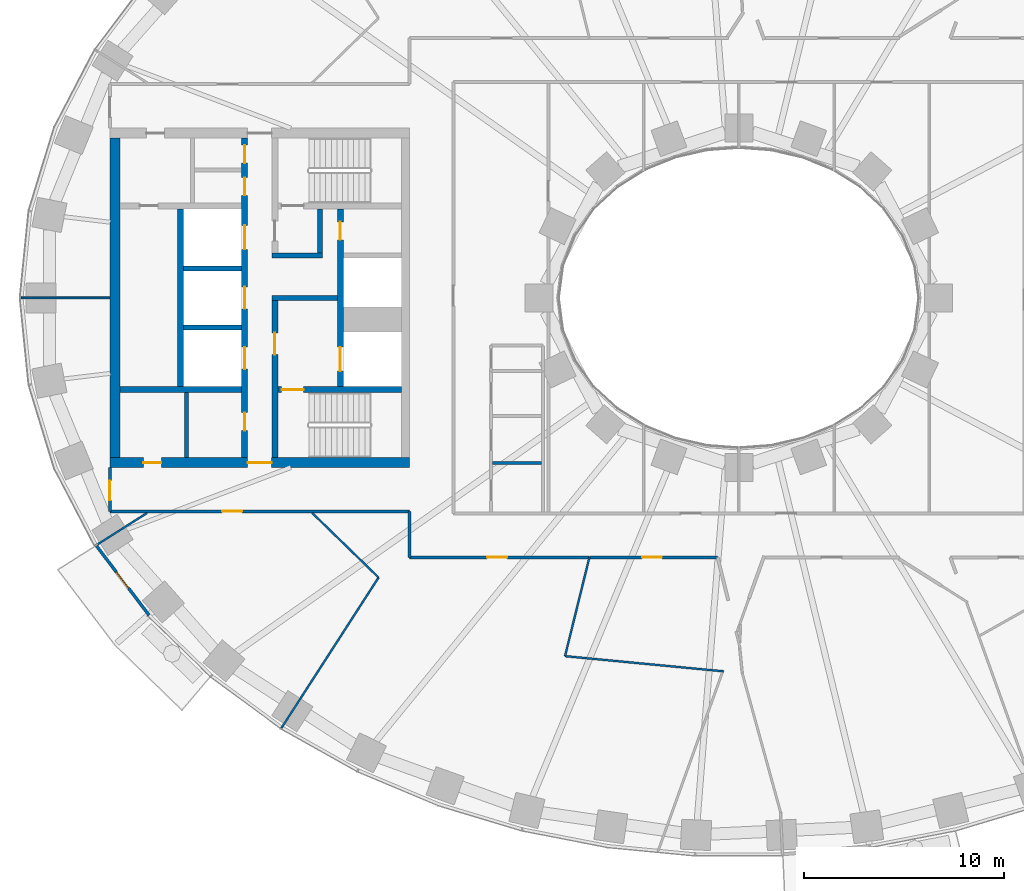
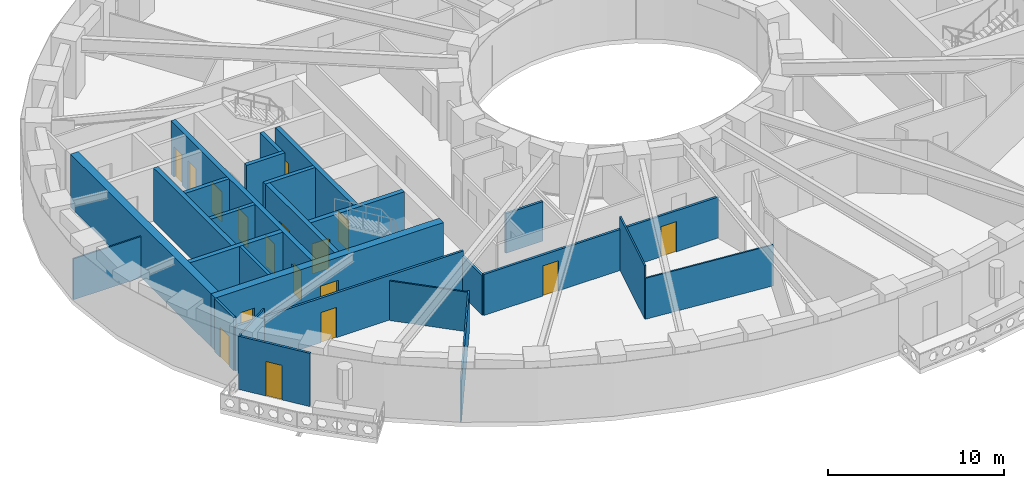
# One storey, part 3 of 16: 27 walls, 17 doors, 17 openings.
"""IFC4 building model written with IfcOpenShell, lengths in metres."""

from ifc_helpers import new_model, si_unit, direction, frame, frame_2d, origin, place, context, subcontext, project, spatial, rectangle, extrude, material, layer, layer_set, type_object, element, fill, save


model = new_model("IFC4")

# Units and contexts
model_context = context("Model", 3, precision=1e-05, world=origin(), true_north=direction((0.0, 1.0)))
body_context = subcontext(model_context, "Body", "Model", "MODEL_VIEW")
ifc_project = project(units=[si_unit("LENGTHUNIT", "METRE"), si_unit("AREAUNIT", "SQUARE_METRE"), si_unit("VOLUMEUNIT", "CUBIC_METRE"), si_unit("PLANEANGLEUNIT", "RADIAN"), si_unit("MASSUNIT", "GRAM", prefix="KILO")], contexts=[model_context])

# Site, building, storey
site_placement = place(None, origin())
site = spatial("IfcSite", under=ifc_project, at=site_placement, CompositionType="ELEMENT")
building_placement = place(site_placement, origin())
building = spatial("IfcBuilding", under=site, at=building_placement, Name="Noorbagh Ring Tower", CompositionType="ELEMENT")
storey_placement = place(building_placement, frame((0.0, 0.0, 42.5)))
storey = spatial("IfcBuildingStorey", under=building, at=storey_placement, Name="L08", CompositionType="ELEMENT", Elevation=42.5)

# Walls
ifc_material_1 = material(Name="Gypsum board on steel studs", Category="steel")
ifc_layer_1 = layer(ifc_material_1, 0.199951171875)
ifc_layer_set_1 = layer_set([ifc_layer_1], Name="Gypsum board on steel studs")
wall_type_1 = type_object("IfcWallType", Name="CORE-PARTITION-200", PredefinedType="PARTITIONING", material=ifc_layer_set_1)
wall_1_placement = place(storey_placement, frame((-27.64990234375, -8.0, 0.0), z_axis=(0.0, 0.0, 1.0), x_axis=(0.0, 1.0, 0.0)))
element("IfcWall", 1, at=wall_1_placement, inside=storey, type_object=wall_type_1, Name="Core partition W", PredefinedType="PARTITIONING", context=body_context, shape_type="SweptSolid", body=[
    extrude(rectangle(XDim=3.25, YDim=0.199951171875, at=frame_2d((1.625, 0.0))), origin(), (0.0, 0.0, 1.0), 3.699951171875),
])
ifc_material_2 = material(Name="Concrete C70/85", Category="concrete")
ifc_layer_2 = layer(ifc_material_2, 0.25)
ifc_layer_set_2 = layer_set([ifc_layer_2], Name="Concrete C70/85")
wall_type_2 = type_object("IfcWallType", Name="CORE-WALL-250-C70-85-EI120", PredefinedType="SHEAR", material=ifc_layer_set_2)
for number, where, z_axis, x_axis, name in (
    (2, (-24.89990234375, -1.47509765625, 0.0), (0.0, 0.0, 1.0), (-1.0, 0.0, 0.0), "Core wall W"),
    (3, (-24.89990234375, 1.47509765625, 0.0), (0.0, 0.0, 1.0), (-1.0, 0.0, 0.0), "Core wall W"),
):
    element("IfcWall", number, at=place(storey_placement, frame(where, z_axis=z_axis, x_axis=x_axis)), inside=storey, type_object=wall_type_2, Name=name, PredefinedType="SHEAR", context=body_context, shape_type="SweptSolid", body=[
        extrude(rectangle(XDim=2.900146484375, YDim=0.25, at=frame_2d((1.4501953125, 0.0))), origin(), (0.0, 0.0, 1.0), 3.699951171875),
    ])
ifc_material_3 = material(Name="Concrete C70/85", Category="concrete")
ifc_layer_3 = layer(ifc_material_3, 0.25)
ifc_layer_set_3 = layer_set([ifc_layer_3], Name="Concrete C70/85")
wall_type_3 = type_object("IfcWallType", Name="CORE-WALL-250-C70-85-EI240", PredefinedType="SHEAR", material=ifc_layer_set_3)
wall_2_placement = place(storey_placement, frame((-20.10009765625, 0.0, 0.0), z_axis=(0.0, 0.0, 1.0), x_axis=(-1.0, 0.0, 0.0)))
element("IfcWall", 4, at=wall_2_placement, inside=storey, type_object=wall_type_3, Name="Core wall W", PredefinedType="SHEAR", context=body_context, shape_type="SweptSolid", body=[
    extrude(rectangle(XDim=3.27978515625, YDim=0.25, at=frame_2d((1.639892578125, 0.0))), origin(), (0.0, 0.0, 1.0), 3.699951171875),
])
wall_3_placement = place(storey_placement, frame((-20.85009765625, 2.125, 0.0), z_axis=(0.0, 0.0, 1.0), x_axis=(-1.0, 0.0, 0.0)))
element("IfcWall", 5, at=wall_3_placement, inside=storey, type_object=wall_type_3, Name="Core wall W", PredefinedType="SHEAR", context=body_context, shape_type="SweptSolid", body=[
    extrude(rectangle(XDim=2.52978515625, YDim=0.25, at=frame_2d((1.264892578125, 0.0))), origin(), (0.0, 0.0, 1.0), 3.699951171875),
])
wall_4_placement = place(storey_placement, frame((-20.97509765625, 2.25, 0.0), z_axis=(0.0, 0.0, 1.0), x_axis=(0.0, 1.0, 0.0)))
element("IfcWall", 6, at=wall_4_placement, inside=storey, type_object=wall_type_3, Name="Core wall W", PredefinedType="SHEAR", context=body_context, shape_type="SweptSolid", body=[
    extrude(rectangle(XDim=2.199951171875, YDim=0.25, at=frame_2d((1.10009765625, 0.0))), origin(), (0.0, 0.0, 1.0), 3.699951171875),
])
ifc_material_4 = material(Name="Concrete C70/85", Category="concrete")
ifc_layer_4 = layer(ifc_material_4, 0.300048828125)
ifc_layer_set_4 = layer_set([ifc_layer_4], Name="Concrete C70/85")
wall_type_4 = type_object("IfcWallType", Name="CORE-WALL-300-C70-85-EI120", PredefinedType="SHEAR", material=ifc_layer_set_4)
wall_5_placement = place(storey_placement, frame((-27.949951171875, -4.449951171875, 0.0), z_axis=(0.0, 0.0, 1.0), x_axis=(0.0, 1.0, 0.0)))
element("IfcWall", 7, at=wall_5_placement, inside=storey, type_object=wall_type_4, Name="Core wall W", PredefinedType="SHEAR", context=body_context, shape_type="SweptSolid", body=[
    extrude(rectangle(XDim=8.89990234375, YDim=0.300048828125, at=frame_2d((4.449951171875, 0.0))), origin(), (0.0, 0.0, 1.0), 3.699951171875),
])

# Wall, openings, doors
wall_6_placement = place(storey_placement, frame((-19.949951171875, -4.449951171875, 0.0), z_axis=(0.0, 0.0, 1.0), x_axis=(0.0, 1.0, 0.0)))
wall_6 = element("IfcWall", 8, at=wall_6_placement, inside=storey, type_object=wall_type_4, Name="Core wall W", PredefinedType="SHEAR", context=body_context, shape_type="SweptSolid", body=[
    extrude(rectangle(XDim=8.89990234375, YDim=0.300048828125, at=frame_2d((4.449951171875, 0.0))), origin(), (0.0, 0.0, 1.0), 3.699951171875),
])
opening_1_placement = place(wall_6_placement, frame((0.77490234375, 0.0, 0.0)))
opening_1 = element("IfcOpeningElement", 9, at=opening_1_placement, cuts=wall_6, Name="Opening L08-CW01", PredefinedType="OPENING", context=body_context, shape_type="SweptSolid", body=[
    extrude(rectangle(XDim=1.199951171875, YDim=2.10009765625, at=frame_2d((0.60009765625, 1.050048828125))), frame((0.0, 0.16015625, 0.0), z_axis=(0.0, -1.0, 0.0), x_axis=(1.0, 0.0, 0.0)), (0.0, 0.0, 1.0), 0.320068359375),
])
opening_2_placement = place(wall_6_placement, frame((7.35009765625, 0.0, 0.0)))
opening_2 = element("IfcOpeningElement", 10, at=opening_2_placement, cuts=wall_6, Name="Opening L08-CW11", PredefinedType="OPENING", context=body_context, shape_type="SweptSolid", body=[
    extrude(rectangle(XDim=0.89990234375, YDim=2.10009765625, at=frame_2d((0.449951171875, 1.050048828125))), frame((0.0, 0.16015625, 0.0), z_axis=(0.0, -1.0, 0.0), x_axis=(1.0, 0.0, 0.0)), (0.0, 0.0, 1.0), 0.320068359375),
])
ifc_material_5 = material(Name="Steel door leaf", Category="steel")
door_type_1 = type_object("IfcDoorType", Name="CORE-DOOR-DROOM", OperationType="SINGLE_SWING_LEFT", PredefinedType="DOOR", material=ifc_material_5)
door_1_placement = place(opening_2_placement, origin())
door_1 = element("IfcDoor", 11, at=door_1_placement, inside=storey, type_object=door_type_1, Name="Core room door L08-CW11", OperationType="SINGLE_SWING_LEFT", OverallHeight=2.10009765625, OverallWidth=0.89990234375, PredefinedType="DOOR", context=body_context, shape_type="SweptSolid", body=[
    extrude(rectangle(XDim=0.89990234375, YDim=2.10009765625, at=frame_2d((0.449951171875, 1.050048828125))), frame((0.0, 0.02490234375, 0.0), z_axis=(0.0, -1.0, 0.0), x_axis=(1.0, 0.0, 0.0)), (0.0, 0.0, 1.0), 0.050048828125),
])
fill(opening_2, door_1)
ifc_material_6 = material(Name="Steel door leaf", Category="steel")
door_type_2 = type_object("IfcDoorType", Name="CORE-DOOR-LDW", OperationType="DOUBLE_DOOR_SLIDING", PredefinedType="DOOR", material=ifc_material_6)
door_2_placement = place(opening_1_placement, origin())
door_2 = element("IfcDoor", 12, at=door_2_placement, inside=storey, type_object=door_type_2, Name="Landing door FF1 L08-CW01", OperationType="DOUBLE_DOOR_SLIDING", OverallHeight=2.10009765625, OverallWidth=1.199951171875, PredefinedType="DOOR", context=body_context, shape_type="SweptSolid", body=[
    extrude(rectangle(XDim=1.199951171875, YDim=2.10009765625, at=frame_2d((0.60009765625, 1.050048828125))), frame((0.0, 0.02490234375, 0.0), z_axis=(0.0, -1.0, 0.0), x_axis=(1.0, 0.0, 0.0)), (0.0, 0.0, 1.0), 0.050048828125),
])
fill(opening_1, door_2)

wall_7_placement = place(storey_placement, frame((-24.75, -8.0, 0.0), z_axis=(0.0, 0.0, 1.0), x_axis=(0.0, 1.0, 0.0)))
wall_7 = element("IfcWall", 13, at=wall_7_placement, inside=storey, type_object=wall_type_4, Name="Core wall W", PredefinedType="SHEAR", context=body_context, shape_type="SweptSolid", body=[
    extrude(rectangle(XDim=16.0, YDim=0.300048828125, at=frame_2d((8.0, 0.0))), origin(), (0.0, 0.0, 1.0), 3.699951171875),
])
opening_3_placement = place(wall_7_placement, frame((4.425048828125, 0.0, 0.0)))
opening_3 = element("IfcOpeningElement", 14, at=opening_3_placement, cuts=wall_7, Name="Opening L08-CW02", PredefinedType="OPENING", context=body_context, shape_type="SweptSolid", body=[
    extrude(rectangle(XDim=1.10009765625, YDim=2.10009765625, at=frame_2d((0.550048828125, 1.050048828125))), frame((0.0, 0.16015625, 0.0), z_axis=(0.0, -1.0, 0.0), x_axis=(1.0, 0.0, 0.0)), (0.0, 0.0, 1.0), 0.320068359375),
])
opening_4_placement = place(wall_7_placement, frame((7.449951171875, 0.0, 0.0)))
opening_4 = element("IfcOpeningElement", 15, at=opening_4_placement, cuts=wall_7, Name="Opening L08-CW03", PredefinedType="OPENING", context=body_context, shape_type="SweptSolid", body=[
    extrude(rectangle(XDim=1.10009765625, YDim=2.10009765625, at=frame_2d((0.550048828125, 1.050048828125))), frame((0.0, 0.16015625, 0.0), z_axis=(0.0, -1.0, 0.0), x_axis=(1.0, 0.0, 0.0)), (0.0, 0.0, 1.0), 0.320068359375),
])
opening_5_placement = place(wall_7_placement, frame((10.425048828125, 0.0, 0.0)))
opening_5 = element("IfcOpeningElement", 16, at=opening_5_placement, cuts=wall_7, Name="Opening L08-CW04", PredefinedType="OPENING", context=body_context, shape_type="SweptSolid", body=[
    extrude(rectangle(XDim=1.199951171875, YDim=2.10009765625, at=frame_2d((0.60009765625, 1.050048828125))), frame((0.0, 0.16015625, 0.0), z_axis=(0.0, -1.0, 0.0), x_axis=(1.0, 0.0, 0.0)), (0.0, 0.0, 1.0), 0.320068359375),
])
opening_6_placement = place(wall_7_placement, frame((13.125, 0.0, 0.0)))
opening_6 = element("IfcOpeningElement", 17, at=opening_6_placement, cuts=wall_7, Name="Opening L08-CW12", PredefinedType="OPENING", context=body_context, shape_type="SweptSolid", body=[
    extrude(rectangle(XDim=0.89990234375, YDim=2.10009765625, at=frame_2d((0.449951171875, 1.050048828125))), frame((0.0, 0.16015625, 0.0), z_axis=(0.0, -1.0, 0.0), x_axis=(1.0, 0.0, 0.0)), (0.0, 0.0, 1.0), 0.320068359375),
])
opening_7_placement = place(wall_7_placement, frame((14.75, 0.0, 0.0)))
opening_7 = element("IfcOpeningElement", 18, at=opening_7_placement, cuts=wall_7, Name="Opening L08-CW13", PredefinedType="OPENING", context=body_context, shape_type="SweptSolid", body=[
    extrude(rectangle(XDim=0.89990234375, YDim=2.10009765625, at=frame_2d((0.449951171875, 1.050048828125))), frame((0.0, 0.16015625, 0.0), z_axis=(0.0, -1.0, 0.0), x_axis=(1.0, 0.0, 0.0)), (0.0, 0.0, 1.0), 0.320068359375),
])
opening_8_placement = place(wall_7_placement, frame((1.35009765625, 0.0, 0.0)))
opening_8 = element("IfcOpeningElement", 19, at=opening_8_placement, cuts=wall_7, Name="Opening L08-CW15", PredefinedType="OPENING", context=body_context, shape_type="SweptSolid", body=[
    extrude(rectangle(XDim=0.89990234375, YDim=2.10009765625, at=frame_2d((0.449951171875, 1.050048828125))), frame((0.0, 0.16015625, 0.0), z_axis=(0.0, -1.0, 0.0), x_axis=(1.0, 0.0, 0.0)), (0.0, 0.0, 1.0), 0.320068359375),
])
door_3_placement = place(opening_6_placement, origin())
door_3 = element("IfcDoor", 20, at=door_3_placement, inside=storey, type_object=door_type_1, Name="Core room door L08-CW12", OperationType="SINGLE_SWING_LEFT", OverallHeight=2.10009765625, OverallWidth=0.89990234375, PredefinedType="DOOR", context=body_context, shape_type="SweptSolid", body=[
    extrude(rectangle(XDim=0.89990234375, YDim=2.10009765625, at=frame_2d((0.449951171875, 1.050048828125))), frame((0.0, 0.02490234375, 0.0), z_axis=(0.0, -1.0, 0.0), x_axis=(1.0, 0.0, 0.0)), (0.0, 0.0, 1.0), 0.050048828125),
])
fill(opening_6, door_3)
door_4_placement = place(opening_7_placement, origin())
door_4 = element("IfcDoor", 21, at=door_4_placement, inside=storey, type_object=door_type_1, Name="Core room door L08-CW13", OperationType="SINGLE_SWING_RIGHT", OverallHeight=2.10009765625, OverallWidth=0.89990234375, PredefinedType="DOOR", context=body_context, shape_type="SweptSolid", body=[
    extrude(rectangle(XDim=0.89990234375, YDim=2.10009765625, at=frame_2d((0.449951171875, 1.050048828125))), frame((0.0, 0.02490234375, 0.0), z_axis=(0.0, -1.0, 0.0), x_axis=(1.0, 0.0, 0.0)), (0.0, 0.0, 1.0), 0.050048828125),
])
fill(opening_7, door_4)
door_5_placement = place(opening_8_placement, origin())
door_5 = element("IfcDoor", 22, at=door_5_placement, inside=storey, type_object=door_type_1, Name="Core room door L08-CW15", OperationType="SINGLE_SWING_LEFT", OverallHeight=2.10009765625, OverallWidth=0.89990234375, PredefinedType="DOOR", context=body_context, shape_type="SweptSolid", body=[
    extrude(rectangle(XDim=0.89990234375, YDim=2.10009765625, at=frame_2d((0.449951171875, 1.050048828125))), frame((0.0, 0.02490234375, 0.0), z_axis=(0.0, -1.0, 0.0), x_axis=(1.0, 0.0, 0.0)), (0.0, 0.0, 1.0), 0.050048828125),
])
fill(opening_8, door_5)
ifc_material_7 = material(Name="Steel door leaf", Category="steel")
door_type_3 = type_object("IfcDoorType", Name="CORE-DOOR-LD", OperationType="DOUBLE_DOOR_SLIDING", PredefinedType="DOOR", material=ifc_material_7)
door_6_placement = place(opening_3_placement, origin())
door_6 = element("IfcDoor", 23, at=door_6_placement, inside=storey, type_object=door_type_3, Name="Landing door LR1 L08-CW02", OperationType="DOUBLE_DOOR_SLIDING", OverallHeight=2.10009765625, OverallWidth=1.10009765625, PredefinedType="DOOR", context=body_context, shape_type="SweptSolid", body=[
    extrude(rectangle(XDim=1.10009765625, YDim=2.10009765625, at=frame_2d((0.550048828125, 1.050048828125))), frame((0.0, 0.02490234375, 0.0), z_axis=(0.0, -1.0, 0.0), x_axis=(1.0, 0.0, 0.0)), (0.0, 0.0, 1.0), 0.050048828125),
])
fill(opening_3, door_6)
door_7_placement = place(opening_4_placement, origin())
door_7 = element("IfcDoor", 24, at=door_7_placement, inside=storey, type_object=door_type_3, Name="Landing door LR2 L08-CW03", OperationType="DOUBLE_DOOR_SLIDING", OverallHeight=2.10009765625, OverallWidth=1.10009765625, PredefinedType="DOOR", context=body_context, shape_type="SweptSolid", body=[
    extrude(rectangle(XDim=1.10009765625, YDim=2.10009765625, at=frame_2d((0.550048828125, 1.050048828125))), frame((0.0, 0.02490234375, 0.0), z_axis=(0.0, -1.0, 0.0), x_axis=(1.0, 0.0, 0.0)), (0.0, 0.0, 1.0), 0.050048828125),
])
fill(opening_4, door_7)
door_8_placement = place(opening_5_placement, origin())
door_8 = element("IfcDoor", 25, at=door_8_placement, inside=storey, type_object=door_type_2, Name="Landing door SV1 L08-CW04", OperationType="DOUBLE_DOOR_SLIDING", OverallHeight=2.10009765625, OverallWidth=1.199951171875, PredefinedType="DOOR", context=body_context, shape_type="SweptSolid", body=[
    extrude(rectangle(XDim=1.199951171875, YDim=2.10009765625, at=frame_2d((0.60009765625, 1.050048828125))), frame((0.0, 0.02490234375, 0.0), z_axis=(0.0, -1.0, 0.0), x_axis=(1.0, 0.0, 0.0)), (0.0, 0.0, 1.0), 0.050048828125),
])
fill(opening_5, door_8)

# Wall
ifc_material_8 = material(Name="Concrete C70/85", Category="concrete")
ifc_layer_5 = layer(ifc_material_8, 0.300048828125)
ifc_layer_set_5 = layer_set([ifc_layer_5], Name="Concrete C70/85")
wall_type_5 = type_object("IfcWallType", Name="CORE-WALL-300-C70-85-EI240", PredefinedType="SHEAR", material=ifc_layer_set_5)
wall_8_placement = place(storey_placement, frame((-24.89990234375, -4.60009765625, 0.0), z_axis=(0.0, 0.0, 1.0), x_axis=(-1.0, 0.0, 0.0)))
element("IfcWall", 26, at=wall_8_placement, inside=storey, type_object=wall_type_5, Name="Core wall W", PredefinedType="SHEAR", context=body_context, shape_type="SweptSolid", body=[
    extrude(rectangle(XDim=6.10009765625, YDim=0.300048828125, at=frame_2d((3.050048828125, 0.0))), origin(), (0.0, 0.0, 1.0), 3.699951171875),
])

# Wall, opening, door
wall_9_placement = place(storey_placement, frame((-23.22998046875, -8.0, 0.0), z_axis=(0.0, 0.0, 1.0), x_axis=(0.0, 1.0, 0.0)))
wall_9 = element("IfcWall", 27, at=wall_9_placement, inside=storey, type_object=wall_type_5, Name="Core wall W", PredefinedType="SHEAR", context=body_context, shape_type="SweptSolid", body=[
    extrude(rectangle(XDim=7.875, YDim=0.300048828125, at=frame_2d((3.9375, 0.0))), origin(), (0.0, 0.0, 1.0), 3.699951171875),
])
opening_9_placement = place(wall_9_placement, frame((5.14990234375, 0.0, 0.0)))
opening_9 = element("IfcOpeningElement", 28, at=opening_9_placement, cuts=wall_9, Name="Opening L08-CW07", PredefinedType="OPENING", context=body_context, shape_type="SweptSolid", body=[
    extrude(rectangle(XDim=1.10009765625, YDim=2.10009765625, at=frame_2d((0.550048828125, 1.050048828125))), frame((0.0, 0.16015625, 0.0), z_axis=(0.0, -1.0, 0.0), x_axis=(1.0, 0.0, 0.0)), (0.0, 0.0, 1.0), 0.320068359375),
])
ifc_material_9 = material(Name="Steel door leaf", Category="steel")
door_type_4 = type_object("IfcDoorType", Name="CORE-DOOR-DFF", OperationType="SINGLE_SWING_LEFT", PredefinedType="DOOR", material=ifc_material_9)
door_9_placement = place(opening_9_placement, origin())
door_9 = element("IfcDoor", 29, at=door_9_placement, inside=storey, type_object=door_type_4, Name="Firefighting lobby door L08-CW07", OperationType="SINGLE_SWING_LEFT", OverallHeight=2.10009765625, OverallWidth=1.10009765625, PredefinedType="DOOR", context=body_context, shape_type="SweptSolid", body=[
    extrude(rectangle(XDim=1.10009765625, YDim=2.10009765625, at=frame_2d((0.550048828125, 1.050048828125))), frame((0.0, 0.02490234375, 0.0), z_axis=(0.0, -1.0, 0.0), x_axis=(1.0, 0.0, 0.0)), (0.0, 0.0, 1.0), 0.050048828125),
])
fill(opening_9, door_9)

wall_10_placement = place(storey_placement, frame((-16.89990234375, -4.60009765625, 0.0), z_axis=(0.0, 0.0, 1.0), x_axis=(-1.0, 0.0, 0.0)))
wall_10 = element("IfcWall", 30, at=wall_10_placement, inside=storey, type_object=wall_type_5, Name="Core wall W", PredefinedType="SHEAR", context=body_context, shape_type="SweptSolid", body=[
    extrude(rectangle(XDim=6.18017578125, YDim=0.300048828125, at=frame_2d((3.090087890625, 0.0))), origin(), (0.0, 0.0, 1.0), 3.699951171875),
])
opening_10_placement = place(wall_10_placement, frame((4.89990234375, 0.0, 0.0)))
opening_10 = element("IfcOpeningElement", 31, at=opening_10_placement, cuts=wall_10, Name="Opening L08-CW06", PredefinedType="OPENING", context=body_context, shape_type="SweptSolid", body=[
    extrude(rectangle(XDim=1.10009765625, YDim=2.10009765625, at=frame_2d((0.550048828125, 1.050048828125))), frame((0.0, 0.16015625, 0.0), z_axis=(0.0, -1.0, 0.0), x_axis=(1.0, 0.0, 0.0)), (0.0, 0.0, 1.0), 0.320068359375),
])
ifc_material_10 = material(Name="Steel door leaf", Category="steel")
door_type_5 = type_object("IfcDoorType", Name="CORE-DOOR-DSTAIR", OperationType="SINGLE_SWING_LEFT", PredefinedType="DOOR", material=ifc_material_10)
door_10_placement = place(opening_10_placement, origin())
door_10 = element("IfcDoor", 32, at=door_10_placement, inside=storey, type_object=door_type_5, Name="Stair door ST2 L08-CW06", OperationType="SINGLE_SWING_LEFT", OverallHeight=2.10009765625, OverallWidth=1.10009765625, PredefinedType="DOOR", context=body_context, shape_type="SweptSolid", body=[
    extrude(rectangle(XDim=1.10009765625, YDim=2.10009765625, at=frame_2d((0.550048828125, 1.050048828125))), frame((0.0, 0.02490234375, 0.0), z_axis=(0.0, -1.0, 0.0), x_axis=(1.0, 0.0, 0.0)), (0.0, 0.0, 1.0), 0.050048828125),
])
fill(opening_10, door_10)

# Wall, openings, doors
ifc_material_11 = material(Name="Concrete C70/85", Category="concrete")
ifc_layer_6 = layer(ifc_material_11, 0.5)
ifc_layer_set_6 = layer_set([ifc_layer_6], Name="Concrete C70/85")
wall_type_6 = type_object("IfcWallType", Name="CORE-WALL-500-C70-85-EI240", PredefinedType="SHEAR", material=ifc_layer_set_6)
wall_11_placement = place(storey_placement, frame((-16.5, -8.25, 0.0), z_axis=(0.0, 0.0, 1.0), x_axis=(-1.0, 0.0, 0.0)))
wall_11 = element("IfcWall", 33, at=wall_11_placement, inside=storey, type_object=wall_type_6, Name="Core wall W", PredefinedType="SHEAR", context=body_context, shape_type="SweptSolid", body=[
    extrude(rectangle(XDim=15.0, YDim=0.5, at=frame_2d((7.5, 0.0))), origin(), (0.0, 0.0, 1.0), 3.699951171875),
])
opening_11_placement = place(wall_11_placement, frame((6.89990234375, 0.0, 0.0)))
opening_11 = element("IfcOpeningElement", 34, at=opening_11_placement, cuts=wall_11, Name="Opening L08-CW10", PredefinedType="OPENING", context=body_context, shape_type="SweptSolid", body=[
    extrude(rectangle(XDim=1.199951171875, YDim=2.10009765625, at=frame_2d((0.60009765625, 1.050048828125))), frame((0.0, 0.260009765625, 0.0), z_axis=(0.0, -1.0, 0.0), x_axis=(1.0, 0.0, 0.0)), (0.0, 0.0, 1.0), 0.52001953125),
])
opening_12_placement = place(wall_11_placement, frame((12.425048828125, 0.0, 0.0)))
opening_12 = element("IfcOpeningElement", 35, at=opening_12_placement, cuts=wall_11, Name="Opening L08-CW16", PredefinedType="OPENING", context=body_context, shape_type="SweptSolid", body=[
    extrude(rectangle(XDim=0.89990234375, YDim=2.10009765625, at=frame_2d((0.449951171875, 1.050048828125))), frame((0.0, 0.260009765625, 0.0), z_axis=(0.0, -1.0, 0.0), x_axis=(1.0, 0.0, 0.0)), (0.0, 0.0, 1.0), 0.52001953125),
])
door_11_placement = place(opening_12_placement, origin())
door_11 = element("IfcDoor", 36, at=door_11_placement, inside=storey, type_object=door_type_1, Name="Core room door L08-CW16", OperationType="SINGLE_SWING_LEFT", OverallHeight=2.10009765625, OverallWidth=0.89990234375, PredefinedType="DOOR", context=body_context, shape_type="SweptSolid", body=[
    extrude(rectangle(XDim=0.89990234375, YDim=2.10009765625, at=frame_2d((0.449951171875, 1.050048828125))), frame((0.0, 0.02490234375, 0.0), z_axis=(0.0, -1.0, 0.0), x_axis=(1.0, 0.0, 0.0)), (0.0, 0.0, 1.0), 0.050048828125),
])
fill(opening_12, door_11)
ifc_material_12 = material(Name="Steel door leaf", Category="steel")
door_type_6 = type_object("IfcDoorType", Name="CORE-DOOR-PORT", OperationType="DOUBLE_DOOR_DOUBLE_SWING", PredefinedType="DOOR", material=ifc_material_12)
door_12_placement = place(opening_11_placement, origin())
door_12 = element("IfcDoor", 37, at=door_12_placement, inside=storey, type_object=door_type_6, Name="Core entrance door L08-CW10", OperationType="DOUBLE_DOOR_DOUBLE_SWING", OverallHeight=2.10009765625, OverallWidth=1.199951171875, PredefinedType="DOOR", context=body_context, shape_type="SweptSolid", body=[
    extrude(rectangle(XDim=1.199951171875, YDim=2.10009765625, at=frame_2d((0.60009765625, 1.050048828125))), frame((0.0, 0.02490234375, 0.0), z_axis=(0.0, -1.0, 0.0), x_axis=(1.0, 0.0, 0.0)), (0.0, 0.0, 1.0), 0.050048828125),
])
fill(opening_11, door_12)

# Wall
wall_12_placement = place(storey_placement, frame((-31.25, -8.0, 0.0), z_axis=(0.0, 0.0, 1.0), x_axis=(0.0, 1.0, 0.0)))
element("IfcWall", 38, at=wall_12_placement, inside=storey, type_object=wall_type_6, Name="Core wall W", PredefinedType="SHEAR", context=body_context, shape_type="SweptSolid", body=[
    extrude(rectangle(XDim=16.0, YDim=0.5, at=frame_2d((8.0, 0.0))), origin(), (0.0, 0.0, 1.0), 3.699951171875),
])

# Wall, opening, door
ifc_material_13 = material(Name="Gypsum board on steel studs", Category="steel")
ifc_layer_7 = layer(ifc_material_13, 0.14990234375)
ifc_layer_set_7 = layer_set([ifc_layer_7], Name="Gypsum board on steel studs")
wall_type_7 = type_object("IfcWallType", Name="CORRIDOR PARTITION 150 EI 30", PredefinedType="PARTITIONING", material=ifc_layer_set_7)
wall_13_placement = place(storey_placement, frame((-31.5, -10.699951171875, 0.0), z_axis=(0.0, 0.0, 1.0), x_axis=(0.0, 1.0, 0.0)))
wall_13 = element("IfcWall", 39, at=wall_13_placement, inside=storey, type_object=wall_type_7, Name="L08/wall/P04", PredefinedType="PARTITIONING", context=body_context, shape_type="SweptSolid", body=[
    extrude(rectangle(XDim=2.199951171875, YDim=0.14990234375, at=frame_2d((1.10009765625, 0.0))), origin(), (0.0, 0.0, 1.0), 3.699951171875),
])
opening_13_placement = place(wall_13_placement, frame((0.550048828125, 0.0, 0.0)))
opening_13 = element("IfcOpeningElement", 40, at=opening_13_placement, cuts=wall_13, Name="Opening D1", PredefinedType="OPENING", context=body_context, shape_type="SweptSolid", body=[
    extrude(rectangle(XDim=1.0, YDim=2.10009765625, at=frame_2d((0.5, 1.050048828125))), frame((0.0, 0.0849609375, 0.0), z_axis=(0.0, -1.0, 0.0), x_axis=(1.0, 0.0, 0.0)), (0.0, 0.0, 1.0), 0.169921875),
])
ifc_material_14 = material(Name="Timber, painted", Category="wood")
door_type_7 = type_object("IfcDoorType", Name="DOOR 1000 X 2100 FD30", OperationType="SINGLE_SWING_LEFT", PredefinedType="DOOR", material=ifc_material_14)
door_13_placement = place(opening_13_placement, origin())
door_13 = element("IfcDoor", 41, at=door_13_placement, inside=storey, type_object=door_type_7, Name="L08-D06", OperationType="SINGLE_SWING_RIGHT", OverallHeight=2.10009765625, OverallWidth=1.0, PredefinedType="DOOR", context=body_context, shape_type="SweptSolid", body=[
    extrude(rectangle(XDim=1.0, YDim=2.10009765625, at=frame_2d((0.5, 1.050048828125))), frame((0.0, 0.02490234375, 0.0), z_axis=(0.0, -1.0, 0.0), x_axis=(1.0, 0.0, 0.0)), (0.0, 0.0, 1.0), 0.050048828125),
])
fill(opening_13, door_13)

wall_14_placement = place(storey_placement, frame((-31.5, -10.699951171875, 0.0), z_axis=(0.0, 0.0, 1.0), x_axis=(1.0, 0.0, 0.0)))
wall_14 = element("IfcWall", 42, at=wall_14_placement, inside=storey, type_object=wall_type_7, Name="L08/wall/P05", PredefinedType="PARTITIONING", context=body_context, shape_type="SweptSolid", body=[
    extrude(rectangle(XDim=15.0, YDim=0.14990234375, at=frame_2d((7.5, 0.0))), origin(), (0.0, 0.0, 1.0), 3.10009765625),
])
opening_14_placement = place(wall_14_placement, frame((5.62890625, 0.0, 0.0)))
opening_14 = element("IfcOpeningElement", 43, at=opening_14_placement, cuts=wall_14, Name="Opening D1", PredefinedType="OPENING", context=body_context, shape_type="SweptSolid", body=[
    extrude(rectangle(XDim=1.0, YDim=2.10009765625, at=frame_2d((0.5, 1.050048828125))), frame((0.0, 0.0849609375, 0.0), z_axis=(0.0, -1.0, 0.0), x_axis=(1.0, 0.0, 0.0)), (0.0, 0.0, 1.0), 0.169921875),
])
door_14_placement = place(opening_14_placement, origin())
door_14 = element("IfcDoor", 44, at=door_14_placement, inside=storey, type_object=door_type_7, Name="L08-D08", OperationType="SINGLE_SWING_RIGHT", OverallHeight=2.10009765625, OverallWidth=1.0, PredefinedType="DOOR", context=body_context, shape_type="SweptSolid", body=[
    extrude(rectangle(XDim=1.0, YDim=2.10009765625, at=frame_2d((0.5, 1.050048828125))), frame((0.0, 0.02490234375, 0.0), z_axis=(0.0, -1.0, 0.0), x_axis=(1.0, 0.0, 0.0)), (0.0, 0.0, 1.0), 0.050048828125),
])
fill(opening_14, door_14)

# Wall
wall_15_placement = place(storey_placement, frame((-16.5, -13.0, 0.0), z_axis=(0.0, 0.0, 1.0), x_axis=(0.0, 1.0, 0.0)))
element("IfcWall", 45, at=wall_15_placement, inside=storey, type_object=wall_type_7, Name="L08/wall/P12", PredefinedType="PARTITIONING", context=body_context, shape_type="SweptSolid", body=[
    extrude(rectangle(XDim=2.300048828125, YDim=0.14990234375, at=frame_2d((1.14990234375, 0.0))), origin(), (0.0, 0.0, 1.0), 2.75),
])

# Wall, opening, door
wall_16_placement = place(storey_placement, frame((-16.5, -13.0, 0.0), z_axis=(0.0, 0.0, 1.0), x_axis=(1.0, 0.0, 0.0)))
wall_16 = element("IfcWall", 46, at=wall_16_placement, inside=storey, type_object=wall_type_7, Name="L08/wall/P13", PredefinedType="PARTITIONING", context=body_context, shape_type="SweptSolid", body=[
    extrude(rectangle(XDim=9.0009765625, YDim=0.14990234375, at=frame_2d((4.50048828125, 0.0))), origin(), (0.0, 0.0, 1.0), 2.85009765625),
])
opening_15_placement = place(wall_16_placement, frame((3.89990234375, 0.0, 0.0)))
opening_15 = element("IfcOpeningElement", 47, at=opening_15_placement, cuts=wall_16, Name="Opening D1", PredefinedType="OPENING", context=body_context, shape_type="SweptSolid", body=[
    extrude(rectangle(XDim=1.0, YDim=2.10009765625, at=frame_2d((0.5, 1.050048828125))), frame((0.0, 0.0849609375, 0.0), z_axis=(0.0, -1.0, 0.0), x_axis=(1.0, 0.0, 0.0)), (0.0, 0.0, 1.0), 0.169921875),
])
door_15_placement = place(opening_15_placement, origin())
door_15 = element("IfcDoor", 48, at=door_15_placement, inside=storey, type_object=door_type_7, Name="L08-D10", OperationType="SINGLE_SWING_RIGHT", OverallHeight=2.10009765625, OverallWidth=1.0, PredefinedType="DOOR", context=body_context, shape_type="SweptSolid", body=[
    extrude(rectangle(XDim=1.0, YDim=2.10009765625, at=frame_2d((0.5, 1.050048828125))), frame((0.0, 0.02490234375, 0.0), z_axis=(0.0, -1.0, 0.0), x_axis=(1.0, 0.0, 0.0)), (0.0, 0.0, 1.0), 0.050048828125),
])
fill(opening_15, door_15)

# Wall
wall_17_placement = place(storey_placement, frame((-12.324951171875, -8.280029296875, 0.0), z_axis=(0.0, 0.0, 1.0), x_axis=(1.0, 0.0, 0.0)))
element("IfcWall", 49, at=wall_17_placement, inside=storey, type_object=wall_type_7, Name="L08/wall/P20", PredefinedType="PARTITIONING", context=body_context, shape_type="SweptSolid", body=[
    extrude(rectangle(XDim=2.449951171875, YDim=0.14990234375, at=frame_2d((1.22509765625, 0.0))), origin(), (0.0, 0.0, 1.0), 2.75),
])

# Wall, opening, door
wall_18_placement = place(storey_placement, frame((-7.48291015625, -13.0, 0.0), z_axis=(0.0, 0.0, 1.0), x_axis=(1.0, 0.0, 0.0)))
wall_18 = element("IfcWall", 50, at=wall_18_placement, inside=storey, type_object=wall_type_7, Name="L08/wall/P32", PredefinedType="PARTITIONING", context=body_context, shape_type="SweptSolid", body=[
    extrude(rectangle(XDim=6.421875, YDim=0.14990234375, at=frame_2d((3.2109375, 0.0))), origin(), (0.0, 0.0, 1.0), 2.85009765625),
])
opening_16_placement = place(wall_18_placement, frame((2.634033203125, 0.0, 0.0)))
opening_16 = element("IfcOpeningElement", 51, at=opening_16_placement, cuts=wall_18, Name="Opening D1", PredefinedType="OPENING", context=body_context, shape_type="SweptSolid", body=[
    extrude(rectangle(XDim=1.0, YDim=2.10009765625, at=frame_2d((0.5, 1.050048828125))), frame((0.0, 0.0849609375, 0.0), z_axis=(0.0, -1.0, 0.0), x_axis=(1.0, 0.0, 0.0)), (0.0, 0.0, 1.0), 0.169921875),
])
door_16_placement = place(opening_16_placement, origin())
door_16 = element("IfcDoor", 52, at=door_16_placement, inside=storey, type_object=door_type_7, Name="L08-D12", OperationType="SINGLE_SWING_RIGHT", OverallHeight=2.10009765625, OverallWidth=1.0, PredefinedType="DOOR", context=body_context, shape_type="SweptSolid", body=[
    extrude(rectangle(XDim=1.0, YDim=2.10009765625, at=frame_2d((0.5, 1.050048828125))), frame((0.0, 0.02490234375, 0.0), z_axis=(0.0, -1.0, 0.0), x_axis=(1.0, 0.0, 0.0)), (0.0, 0.0, 1.0), 0.050048828125),
])
fill(opening_16, door_16)

ifc_material_15 = material(Name="Insulated aluminium clad panel", Category="aluminium")
ifc_layer_8 = layer(ifc_material_15, 0.14990234375)
ifc_layer_set_8 = layer_set([ifc_layer_8], Name="Insulated aluminium clad panel")
wall_type_8 = type_object("IfcWallType", Name="ENV-WALL-DOOR", PredefinedType="STANDARD", material=ifc_layer_set_8)
wall_19_placement = place(storey_placement, frame((-32.20751953125, -12.37353515625, 0.0), z_axis=(0.0, 0.0, 1.0), x_axis=(0.604045763106, -0.796949632081, 0.0)))
wall_19 = element("IfcWall", 53, at=wall_19_placement, inside=storey, type_object=wall_type_8, Name="Balcony door wall chord 27", PredefinedType="STANDARD", context=body_context, shape_type="SweptSolid", body=[
    extrude(rectangle(XDim=4.42333984375, YDim=0.14990234375, at=frame_2d((2.211669921875, 0.0))), origin(), (0.0, 0.0, 1.0), 3.699951171875),
])
opening_17_placement = place(wall_19_placement, frame((1.711669921875, 0.0, 0.0)))
opening_17 = element("IfcOpeningElement", 54, at=opening_17_placement, cuts=wall_19, Name="Opening D-BL", PredefinedType="OPENING", context=body_context, shape_type="SweptSolid", body=[
    extrude(rectangle(XDim=1.0, YDim=2.39990234375, at=frame_2d((0.5, 1.199951171875))), frame((0.0, 0.0849609375, 0.0), z_axis=(0.0, -1.0, 0.0), x_axis=(1.0, 0.0, 0.0)), (0.0, 0.0, 1.0), 0.169921875),
])
ifc_material_16 = material(Name="Aluminium and glass", Category="aluminium")
door_type_8 = type_object("IfcDoorType", Name="ENV-DOOR-BALCONY", OperationType="SINGLE_SWING_LEFT", PredefinedType="DOOR", material=ifc_material_16)
door_17_placement = place(opening_17_placement, origin())
door_17 = element("IfcDoor", 55, at=door_17_placement, inside=storey, type_object=door_type_8, Name="Balcony door chord 27", OperationType="SINGLE_SWING_LEFT", OverallHeight=2.39990234375, OverallWidth=1.0, PredefinedType="DOOR", context=body_context, shape_type="SweptSolid", body=[
    extrude(rectangle(XDim=1.0, YDim=2.39990234375, at=frame_2d((0.5, 1.199951171875))), frame((0.0, 0.02490234375, 0.0), z_axis=(0.0, -1.0, 0.0), x_axis=(1.0, 0.0, 0.0)), (0.0, 0.0, 1.0), 0.050048828125),
])
fill(opening_17, door_17)

# Walls
ifc_material_17 = material(Name="Gypsum board on steel studs", Category="steel")
ifc_layer_9 = layer(ifc_material_17, 0.10009765625)
ifc_layer_set_9 = layer_set([ifc_layer_9], Name="Gypsum board on steel studs")
wall_type_9 = type_object("IfcWallType", Name="PARTITION 100 GYPSUM", PredefinedType="PARTITIONING", material=ifc_layer_set_9)
wall_20_placement = place(storey_placement, frame((-35.948974609375, 0.0, 0.0), z_axis=(0.0, 0.0, 1.0), x_axis=(1.0, 0.0, 0.0)))
element("IfcWall", 56, at=wall_20_placement, inside=storey, type_object=wall_type_9, Name="L08/wall/P01", PredefinedType="PARTITIONING", context=body_context, shape_type="SweptSolid", body=[
    extrude(rectangle(XDim=4.448974609375, YDim=0.10009765625, at=frame_2d((2.224609375, 0.0))), origin(), (0.0, 0.0, 1.0), 2.85009765625),
])
wall_21_placement = place(storey_placement, frame((-32.2119140625, -12.407958984375, 0.0), z_axis=(0.0, 0.0, 1.0), x_axis=(0.844810627195, 0.535065420467, 0.0)))
element("IfcWall", 57, at=wall_21_placement, inside=storey, type_object=wall_type_9, Name="L08/wall/P02", PredefinedType="PARTITIONING", context=body_context, shape_type="SweptSolid", body=[
    extrude(rectangle(XDim=3.0478515625, YDim=0.10009765625, at=frame_2d((1.52392578125, 0.0))), origin(), (0.0, 0.0, 1.0), 3.699951171875),
])
wall_22_placement = place(storey_placement, frame((-22.905029296875, -21.5419921875, 0.0), z_axis=(0.0, 0.0, 1.0), x_axis=(0.542241597628, 0.840222619192, 0.0)))
element("IfcWall", 58, at=wall_22_placement, inside=storey, type_object=wall_type_9, Name="L08/wall/P08", PredefinedType="PARTITIONING", context=body_context, shape_type="SweptSolid", body=[
    extrude(rectangle(XDim=8.966552734375, YDim=0.10009765625, at=frame_2d((4.4833984375, 0.0))), origin(), (0.0, 0.0, 1.0), 2.85009765625),
])
wall_23_placement = place(storey_placement, frame((-21.362060546875, -10.778076171875, 0.0), z_axis=(0.0, 0.0, 1.0), x_axis=(0.716869759063, -0.697207105917, 0.0)))
element("IfcWall", 59, at=wall_23_placement, inside=storey, type_object=wall_type_9, Name="L08/wall/P10", PredefinedType="PARTITIONING", context=body_context, shape_type="SweptSolid", body=[
    extrude(rectangle(XDim=4.63134765625, YDim=0.10009765625, at=frame_2d((2.315673828125, 0.0))), origin(), (0.0, 0.0, 1.0), 2.75),
])
wall_24_placement = place(storey_placement, frame((-8.7041015625, -17.946044921875, 0.0), z_axis=(0.0, 0.0, 1.0), x_axis=(0.239704393154, 0.970845921814, 0.0)))
element("IfcWall", 60, at=wall_24_placement, inside=storey, type_object=wall_type_9, Name="L08/wall/P28", PredefinedType="PARTITIONING", context=body_context, shape_type="SweptSolid", body=[
    extrude(rectangle(XDim=5.094482421875, YDim=0.10009765625, at=frame_2d((2.54736328125, 0.0))), origin(), (0.0, 0.0, 1.0), 3.699951171875),
])
wall_25_placement = place(storey_placement, frame((-8.7041015625, -17.946044921875, 0.0), z_axis=(0.0, 0.0, 1.0), x_axis=(0.995451268437, -0.095272095422, 0.0)))
element("IfcWall", 61, at=wall_25_placement, inside=storey, type_object=wall_type_9, Name="L08/wall/P29", PredefinedType="PARTITIONING", context=body_context, shape_type="SweptSolid", body=[
    extrude(rectangle(XDim=7.987548828125, YDim=0.10009765625, at=frame_2d((3.99365234375, 0.0))), origin(), (0.0, 0.0, 1.0), 2.85009765625),
])

save(model, "model.ifc")
